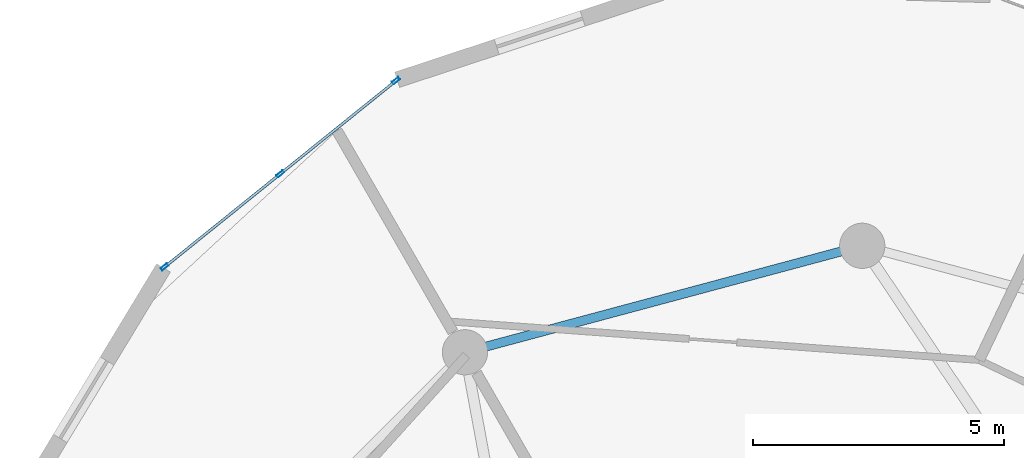
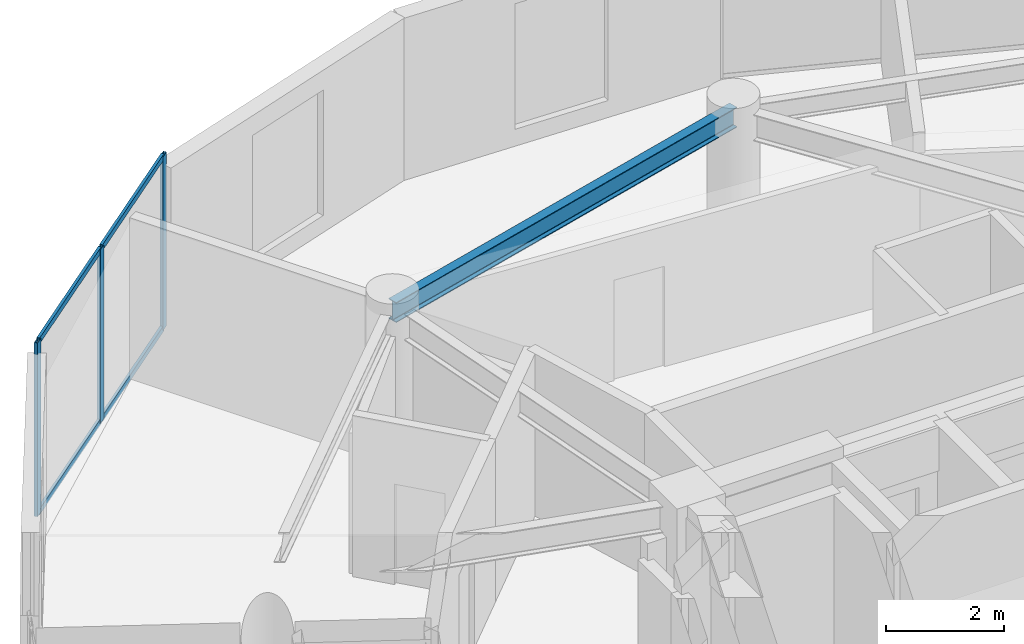
# One storey, part 13 of 20: 7 members, 1 beam, 1 element without a shape of its own.
"""IFC4 building model written with IfcOpenShell, lengths in metres."""

from ifc_helpers import new_model, si_unit, direction, frame, origin, origin_2d, place, context, subcontext, project, spatial, hollow_rectangle, i_section, extrude, source, transform, mapped, material, layer, layer_set, material_profile, profile_set, type_object, element, aggregate, save


model = new_model("IFC4")

# Units and contexts
model_context = context("Model", 3, precision=1e-05, world=origin(), true_north=direction((0.0, 1.0)))
body_context = subcontext(model_context, "Body", "Model", "MODEL_VIEW")
ifc_project = project(units=[si_unit("LENGTHUNIT", "METRE"), si_unit("AREAUNIT", "SQUARE_METRE"), si_unit("VOLUMEUNIT", "CUBIC_METRE"), si_unit("PLANEANGLEUNIT", "RADIAN"), si_unit("MASSUNIT", "GRAM", prefix="KILO")], contexts=[model_context])

# Site, building, storey
site_placement = place(None, origin())
site = spatial("IfcSite", under=ifc_project, at=site_placement, CompositionType="ELEMENT")
building_placement = place(site_placement, origin())
building = spatial("IfcBuilding", under=site, at=building_placement, Name="Solvirekh Grand Hotel", CompositionType="ELEMENT")
storey_placement = place(building_placement, frame((0.0, 0.0, 194.800048828125)))
storey = spatial("IfcBuildingStorey", under=building, at=storey_placement, Name="L50", CompositionType="ELEMENT", Elevation=194.800048828125)

# Beam
ifc_material_1 = material(Name="Steel S355", Category="steel")
ifc_material_profile_1 = material_profile(ifc_material_1, i_section(OverallWidth=0.180908203125, OverallDepth=0.4169921875, WebThickness=0.010009765625, FlangeThickness=0.01611328125, FilletRadius=0.011962890625, at=origin_2d()), Name="W410X85")
ifc_profile_set_1 = profile_set([ifc_material_profile_1], Name="Steel S355")
beam_type = type_object("IfcBeamType", Name="Spandrel_Ring_W410", PredefinedType="SPANDREL", material=ifc_profile_set_1)
beam_placement = place(storey_placement, frame((0.0, 15.800048828125, 3.15185546875), z_axis=(-0.965920601923, -0.258838541915, 0.0), x_axis=(0.258838541915, -0.965920601923, 0.0)))
element("IfcBeam", 1, at=beam_placement, inside=storey, type_object=beam_type, Name="L50 perimeter spandrel beam 4", PredefinedType="SPANDREL", context=body_context, shape_type="SweptSolid", body=[
    extrude(i_section(OverallWidth=0.180908203125, OverallDepth=0.4169921875, WebThickness=0.010009765625, FlangeThickness=0.01611328125, FilletRadius=0.011962890625, at=origin_2d()), origin(), (0.0, 0.0, 1.0), 8.1787109375),
])

# Curtain wall, members
ifc_material_2 = material(Name="Anodized Bronze Aluminium 6063-T6", Category="aluminium")
ifc_layer = layer(ifc_material_2, 0.159912109375)
ifc_layer_set = layer_set([ifc_layer], Name="Anodized Bronze Aluminium 6063-T6")
curtain_wall_type = type_object("IfcCurtainWallType", Name="CW_Sys4_HighZoneFlushBronzeCW", PredefinedType="NOTDEFINED", material=ifc_layer_set)
curtain_wall_placement = place(storey_placement, origin())
curtain_wall = element("IfcCurtainWall", 2, at=curtain_wall_placement, inside=storey, type_object=curtain_wall_type, Name="L50 unitised bronze-glass curtain wall CW-L50-C11", PredefinedType="NOTDEFINED")
ifc_material_profile_2 = material_profile(ifc_material_2, hollow_rectangle(XDim=0.06005859375, YDim=0.159912109375, WallThickness=0.0048828125, at=origin_2d()), Name="ALU RHS 160X60X5")
ifc_profile_set_2 = profile_set([ifc_material_profile_2], Name="Anodized Bronze Aluminium 6063-T6")
member_type_1 = type_object("IfcMemberType", Name="CWMullion_Sys4", PredefinedType="MULLION", material=ifc_profile_set_2)
shared_shape_1 = source(origin(), body_context, "Body", "SweptSolid", [
    extrude(hollow_rectangle(XDim=0.06005859375, YDim=0.159912109375, WallThickness=0.0048828125, at=origin_2d()), origin(), (0.0, 0.0, 1.0), 3.599853515625),
])
member_1_placement = place(storey_placement, frame((-9.271484375, 19.084228515625, 0.0), z_axis=(0.0, 0.0, 1.0), x_axis=(0.627103659713, -0.778935812487, 0.0)))
member_1 = element("IfcMember", 3, at=member_1_placement, type_object=member_type_1, Name="U04 mullion 1", PredefinedType="MULLION", context=body_context, shape_type="MappedRepresentation", body=[
    mapped(shared_shape_1, transform((0.0, 0.0, 0.0), x_axis=(1.0, 0.0, 0.0), y_axis=(0.0, 1.0, 0.0), z_axis=(0.0, 0.0, 1.0), scale=1.0)),
])
member_2_placement = place(storey_placement, frame((-11.572021484375, 17.23193359375, 0.0), z_axis=(0.0, 0.0, 1.0), x_axis=(0.627103659713, -0.778935812487, 0.0)))
member_2 = element("IfcMember", 4, at=member_2_placement, type_object=member_type_1, Name="U04 mullion 2", PredefinedType="MULLION", context=body_context, shape_type="MappedRepresentation", body=[
    mapped(shared_shape_1, transform((0.0, 0.0, 0.0), x_axis=(1.0, 0.0, 0.0), y_axis=(0.0, 1.0, 0.0), z_axis=(0.0, 0.0, 1.0), scale=1.0)),
])
member_3_placement = place(storey_placement, frame((-13.87255859375, 15.3798828125, 0.0), z_axis=(0.0, 0.0, 1.0), x_axis=(0.627103659713, -0.778935812487, 0.0)))
member_3 = element("IfcMember", 5, at=member_3_placement, type_object=member_type_1, Name="U04 mullion 3", PredefinedType="MULLION", context=body_context, shape_type="MappedRepresentation", body=[
    mapped(shared_shape_1, transform((0.0, 0.0, 0.0), x_axis=(1.0, 0.0, 0.0), y_axis=(0.0, 1.0, 0.0), z_axis=(0.0, 0.0, 1.0), scale=1.0)),
])
ifc_material_profile_3 = material_profile(ifc_material_2, hollow_rectangle(XDim=0.054931640625, YDim=0.1201171875, WallThickness=0.00390625, at=origin_2d()), Name="ALU RHS 120X55X4")
ifc_profile_set_3 = profile_set([ifc_material_profile_3], Name="Anodized Bronze Aluminium 6063-T6")
member_type_2 = type_object("IfcMemberType", Name="CWTransom_Sys4", PredefinedType="USERDEFINED", material=ifc_profile_set_3)
shared_shape_2 = source(origin(), body_context, "Body", "SweptSolid", [
    extrude(hollow_rectangle(XDim=0.054931640625, YDim=0.1201171875, WallThickness=0.00390625, at=origin_2d()), origin(), (0.0, 0.0, 1.0), 2.8935546875),
])
member_4_placement = place(storey_placement, frame((-9.294677734375, 19.0654296875, 0.02734375), z_axis=(-0.778914176944, -0.627130532629, 0.0), x_axis=(0.627130532629, -0.778914176944, 0.0)))
member_4 = element("IfcMember", 6, at=member_4_placement, type_object=member_type_2, Name="U04 transom 1.1", ObjectType="TRANSOM", PredefinedType="USERDEFINED", context=body_context, shape_type="MappedRepresentation", body=[
    mapped(shared_shape_2, transform((0.0, 0.0, 0.0), x_axis=(1.0, 0.0, 0.0), y_axis=(0.0, 1.0, 0.0), z_axis=(0.0, 0.0, 1.0), scale=1.0)),
])
member_5_placement = place(storey_placement, frame((-9.294677734375, 19.0654296875, 3.572509765625), z_axis=(-0.778914176944, -0.627130532629, 0.0), x_axis=(0.627130532629, -0.778914176944, 0.0)))
member_5 = element("IfcMember", 7, at=member_5_placement, type_object=member_type_2, Name="U04 transom 1.2", ObjectType="TRANSOM", PredefinedType="USERDEFINED", context=body_context, shape_type="MappedRepresentation", body=[
    mapped(shared_shape_2, transform((0.0, 0.0, 0.0), x_axis=(1.0, 0.0, 0.0), y_axis=(0.0, 1.0, 0.0), z_axis=(0.0, 0.0, 1.0), scale=1.0)),
])
member_6_placement = place(storey_placement, frame((-11.595458984375, 17.213134765625, 0.02734375), z_axis=(-0.77895539112, -0.627079339992, 0.0), x_axis=(0.627079339992, -0.77895539112, 0.0)))
member_6 = element("IfcMember", 8, at=member_6_placement, type_object=member_type_2, Name="U04 transom 2.1", ObjectType="TRANSOM", PredefinedType="USERDEFINED", context=body_context, shape_type="MappedRepresentation", body=[
    mapped(shared_shape_2, transform((0.0, 0.0, 0.0), x_axis=(1.0, 0.0, 0.0), y_axis=(0.0, 1.0, 0.0), z_axis=(0.0, 0.0, 1.0), scale=1.0)),
])
member_7_placement = place(storey_placement, frame((-11.595458984375, 17.213134765625, 3.572509765625), z_axis=(-0.77895539112, -0.627079339992, 0.0), x_axis=(0.627079339992, -0.77895539112, 0.0)))
member_7 = element("IfcMember", 9, at=member_7_placement, type_object=member_type_2, Name="U04 transom 2.2", ObjectType="TRANSOM", PredefinedType="USERDEFINED", context=body_context, shape_type="MappedRepresentation", body=[
    mapped(shared_shape_2, transform((0.0, 0.0, 0.0), x_axis=(1.0, 0.0, 0.0), y_axis=(0.0, 1.0, 0.0), z_axis=(0.0, 0.0, 1.0), scale=1.0)),
])
aggregate(curtain_wall, [member_1, member_2, member_3, member_4, member_5, member_6, member_7])

save(model, "model.ifc")
